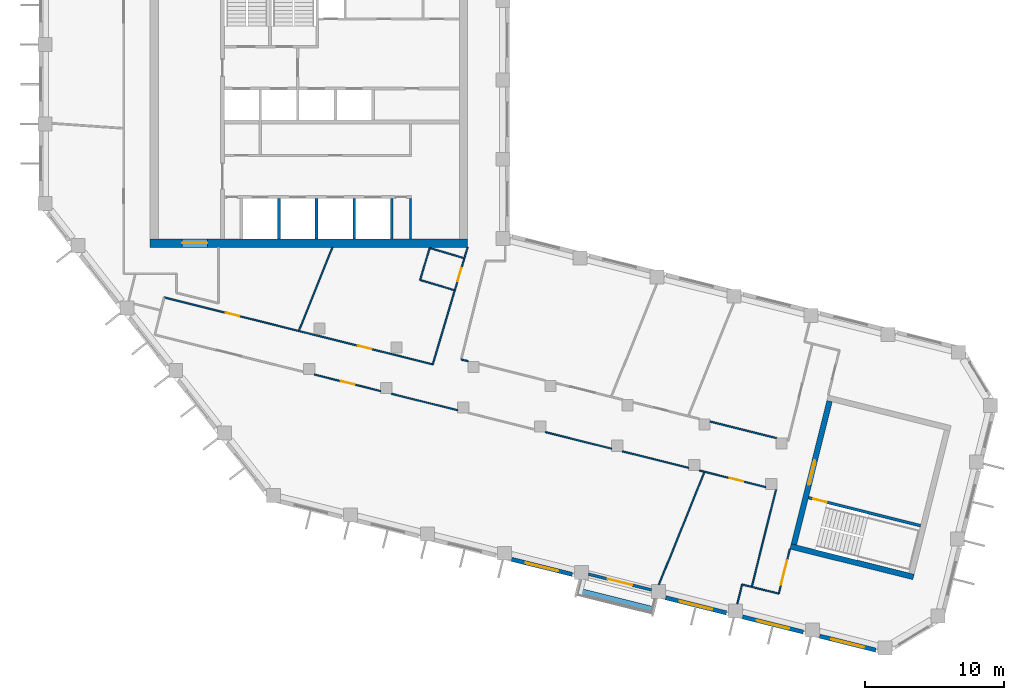
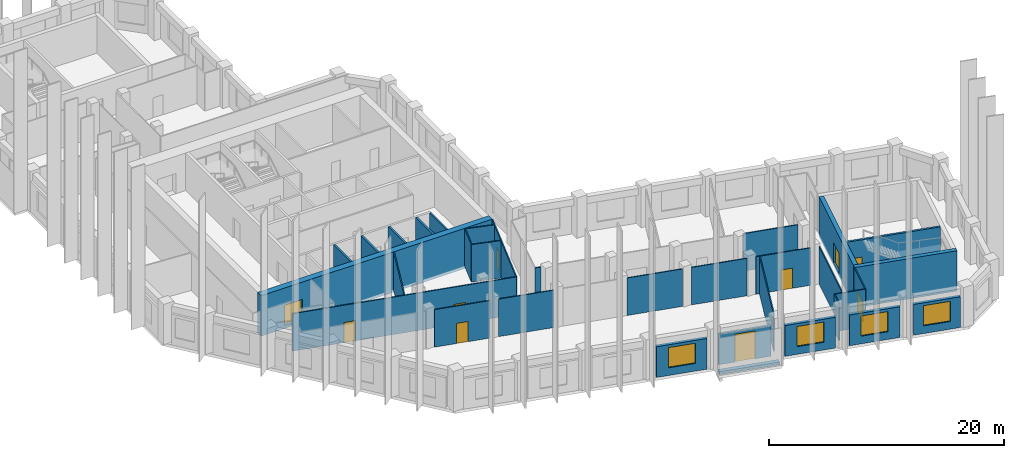
# One storey, part 3 of 9: 34 walls, 10 doors, 4 windows, 14 openings.
"""IFC4 building model written with IfcOpenShell, lengths in metres."""

from ifc_helpers import new_model, si_unit, direction, frame, frame_2d, origin, place, context, subcontext, project, spatial, rectangle, extrude, material, layer, layer_set, type_object, element, fill, save


model = new_model("IFC4")

# Units and contexts
model_context = context("Model", 3, precision=1e-05, world=origin(), true_north=direction((0.0, 1.0)))
body_context = subcontext(model_context, "Body", "Model", "MODEL_VIEW")
ifc_project = project(units=[si_unit("LENGTHUNIT", "METRE"), si_unit("AREAUNIT", "SQUARE_METRE"), si_unit("VOLUMEUNIT", "CUBIC_METRE"), si_unit("PLANEANGLEUNIT", "RADIAN"), si_unit("MASSUNIT", "GRAM", prefix="KILO")], contexts=[model_context])

# Site, building, storey
site_placement = place(None, origin())
site = spatial("IfcSite", under=ifc_project, at=site_placement, CompositionType="ELEMENT")
building_placement = place(site_placement, origin())
building = spatial("IfcBuilding", under=site, at=building_placement, Name="Meshkara Civic Tower", CompositionType="ELEMENT")
storey_placement = place(building_placement, frame((0.0, 0.0, 306.60009765625)))
storey = spatial("IfcBuildingStorey", under=building, at=storey_placement, Name="L70", CompositionType="ELEMENT", Elevation=306.60009765625)

# Wall
ifc_material_1 = material(Name="Blockwork", Category="masonry")
ifc_layer_1 = layer(ifc_material_1, 0.14990234375)
ifc_layer_set_1 = layer_set([ifc_layer_1], Name="Core partition 150")
wall_type_1 = type_object("IfcWallType", Name="Core partition 150", PredefinedType="PARTITIONING", material=ifc_layer_set_1)
wall_1_placement = place(storey_placement, frame((26.699951171875, 14.699951171875, 0.0), z_axis=(0.0, 0.0, 1.0), x_axis=(0.0, 1.0, 0.0)))
element("IfcWall", 1, at=wall_1_placement, inside=storey, type_object=wall_type_1, Name="L70-C024", PredefinedType="PARTITIONING", context=body_context, shape_type="SweptSolid", body=[
    extrude(rectangle(XDim=2.900146484375, YDim=0.14990234375, at=frame_2d((1.4501953125, 0.0))), origin(), (0.0, 0.0, 1.0), 3.89990234375),
])

# Wall, opening, door
ifc_material_2 = material(Name="Concrete C60", Category="concrete")
ifc_layer_2 = layer(ifc_material_2, 0.60009765625)
ifc_layer_set_2 = layer_set([ifc_layer_2], Name="Core ring wall 600 C60")
wall_type_2 = type_object("IfcWallType", Name="Core ring wall 600 C60", PredefinedType="SHEAR", material=ifc_layer_set_2)
wall_2_placement = place(storey_placement, frame((8.0, 14.39990234375, -0.300048828125), z_axis=(0.0, 0.0, 1.0), x_axis=(1.0, 0.0, 0.0)))
wall_2 = element("IfcWall", 2, at=wall_2_placement, inside=storey, type_object=wall_type_2, Name="L70-C001", PredefinedType="SHEAR", context=body_context, shape_type="SweptSolid", body=[
    extrude(rectangle(XDim=22.800048828125, YDim=0.60009765625, at=frame_2d((11.39990234375, 0.0))), origin(), (0.0, 0.0, 1.0), 4.199951171875),
])
opening_1_placement = place(wall_2_placement, frame((2.300048828125, 0.0, 0.300048828125)))
opening_1 = element("IfcOpeningElement", 3, at=opening_1_placement, cuts=wall_2, Name="Opening L70-K023", PredefinedType="OPENING", context=body_context, shape_type="SweptSolid", body=[
    extrude(rectangle(XDim=1.800048828125, YDim=2.10009765625, at=frame_2d((0.89990234375, 1.050048828125))), frame((0.0, 0.31005859375, 0.0), z_axis=(0.0, -1.0, 0.0), x_axis=(1.0, 0.0, 0.0)), (0.0, 0.0, 1.0), 0.6201171875),
])
ifc_material_3 = material(Name="Fire-rated door leaf in steel frame", Category="steel")
door_type_1 = type_object("IfcDoorType", Name="Core double door 1800 EI 60", OperationType="DOUBLE_DOOR_SINGLE_SWING", PredefinedType="DOOR", material=ifc_material_3)
door_1_placement = place(opening_1_placement, origin())
door_1 = element("IfcDoor", 4, at=door_1_placement, inside=storey, type_object=door_type_1, Name="L70-K023", OperationType="DOUBLE_DOOR_SINGLE_SWING", OverallHeight=2.10009765625, OverallWidth=1.800048828125, PredefinedType="DOOR", context=body_context, shape_type="SweptSolid", body=[
    extrude(rectangle(XDim=1.800048828125, YDim=2.10009765625, at=frame_2d((0.89990234375, 1.050048828125))), frame((0.0, 0.02490234375, 0.0), z_axis=(0.0, -1.0, 0.0), x_axis=(1.0, 0.0, 0.0)), (0.0, 0.0, 1.0), 0.050048828125),
])
fill(opening_1, door_1)

# Wall, openings, doors
ifc_material_4 = material(Name="Corridor wall 100")
ifc_layer_3 = layer(ifc_material_4, 0.10009765625)
ifc_layer_set_3 = layer_set([ifc_layer_3], Name="Corridor wall 100")
wall_type_3 = type_object("IfcWallType", Name="Corridor wall 100", PredefinedType="PARTITIONING", material=ifc_layer_set_3)
wall_3_placement = place(storey_placement, frame((9.001953125, 10.4990234375, 0.0), z_axis=(0.0, 0.0, 1.0), x_axis=(0.970298340477, -0.241911410372, 0.0)))
wall_3 = element("IfcWall", 5, at=wall_3_placement, inside=storey, type_object=wall_type_3, Name="L70-W007", PredefinedType="PARTITIONING", context=body_context, shape_type="SweptSolid", body=[
    extrude(rectangle(XDim=19.879638671875, YDim=0.10009765625, at=frame_2d((9.93994140625, 0.0))), origin(), (0.0, 0.0, 1.0), 3.89990234375),
])
opening_2_placement = place(wall_3_placement, frame((4.580078125, 0.0, 0.0)))
opening_2 = element("IfcOpeningElement", 6, at=opening_2_placement, cuts=wall_3, Name="Opening L70-D009", PredefinedType="OPENING", context=body_context, shape_type="SweptSolid", body=[
    extrude(rectangle(XDim=1.0, YDim=2.10009765625, at=frame_2d((0.5, 1.050048828125))), frame((0.0, 0.06005859375, 0.0), z_axis=(0.0, -1.0, 0.0), x_axis=(1.0, 0.0, 0.0)), (0.0, 0.0, 1.0), 0.1201171875),
])
opening_3_placement = place(wall_3_placement, frame((14.343017578125, 0.0, 0.0)))
opening_3 = element("IfcOpeningElement", 7, at=opening_3_placement, cuts=wall_3, Name="Opening L70-D010", PredefinedType="OPENING", context=body_context, shape_type="SweptSolid", body=[
    extrude(rectangle(XDim=1.0, YDim=2.10009765625, at=frame_2d((0.5, 1.050048828125))), frame((0.0, 0.06005859375, 0.0), z_axis=(0.0, -1.0, 0.0), x_axis=(1.0, 0.0, 0.0)), (0.0, 0.0, 1.0), 0.1201171875),
])
ifc_material_5 = material(Name="Door 1000 x 2100")
door_type_2 = type_object("IfcDoorType", Name="Door 1000 x 2100", OperationType="SINGLE_SWING_LEFT", PredefinedType="DOOR", material=ifc_material_5)
door_2_placement = place(opening_2_placement, origin())
door_2 = element("IfcDoor", 8, at=door_2_placement, inside=storey, type_object=door_type_2, Name="L70-D009", OperationType="SINGLE_SWING_RIGHT", OverallHeight=2.10009765625, OverallWidth=1.0, PredefinedType="DOOR", context=body_context, shape_type="SweptSolid", body=[
    extrude(rectangle(XDim=1.0, YDim=2.10009765625, at=frame_2d((0.5, 1.050048828125))), frame((0.0, 0.02490234375, 0.0), z_axis=(0.0, -1.0, 0.0), x_axis=(1.0, 0.0, 0.0)), (0.0, 0.0, 1.0), 0.050048828125),
])
fill(opening_2, door_2)
door_3_placement = place(opening_3_placement, origin())
door_3 = element("IfcDoor", 9, at=door_3_placement, inside=storey, type_object=door_type_2, Name="L70-D010", OperationType="SINGLE_SWING_LEFT", OverallHeight=2.10009765625, OverallWidth=1.0, PredefinedType="DOOR", context=body_context, shape_type="SweptSolid", body=[
    extrude(rectangle(XDim=1.0, YDim=2.10009765625, at=frame_2d((0.5, 1.050048828125))), frame((0.0, 0.02490234375, 0.0), z_axis=(0.0, -1.0, 0.0), x_axis=(1.0, 0.0, 0.0)), (0.0, 0.0, 1.0), 0.050048828125),
])
fill(opening_3, door_3)

# Wall, opening, door
wall_4_placement = place(storey_placement, frame((19.785888671875, 4.9599609375, 0.0), z_axis=(0.0, 0.0, 1.0), x_axis=(0.970335085454, -0.241763979817, 0.0)))
wall_4 = element("IfcWall", 10, at=wall_4_placement, inside=storey, type_object=wall_type_3, Name="L70-W016", PredefinedType="PARTITIONING", context=body_context, shape_type="SweptSolid", body=[
    extrude(rectangle(XDim=4.913818359375, YDim=0.10009765625, at=frame_2d((2.45703125, 0.0))), origin(), (0.0, 0.0, 1.0), 3.89990234375),
])
opening_4_placement = place(wall_4_placement, frame((1.97998046875, 0.0, 0.0)))
opening_4 = element("IfcOpeningElement", 11, at=opening_4_placement, cuts=wall_4, Name="Opening L70-D003", PredefinedType="OPENING", context=body_context, shape_type="SweptSolid", body=[
    extrude(rectangle(XDim=1.0, YDim=2.10009765625, at=frame_2d((0.5, 1.050048828125))), frame((0.0, 0.06005859375, 0.0), z_axis=(0.0, -1.0, 0.0), x_axis=(1.0, 0.0, 0.0)), (0.0, 0.0, 1.0), 0.1201171875),
])
door_4_placement = place(opening_4_placement, origin())
door_4 = element("IfcDoor", 12, at=door_4_placement, inside=storey, type_object=door_type_2, Name="L70-D003", OperationType="SINGLE_SWING_LEFT", OverallHeight=2.10009765625, OverallWidth=1.0, PredefinedType="DOOR", context=body_context, shape_type="SweptSolid", body=[
    extrude(rectangle(XDim=1.0, YDim=2.10009765625, at=frame_2d((0.5, 1.050048828125))), frame((0.0, 0.02490234375, 0.0), z_axis=(0.0, -1.0, 0.0), x_axis=(1.0, 0.0, 0.0)), (0.0, 0.0, 1.0), 0.050048828125),
])
fill(opening_4, door_4)

# Wall
wall_5_placement = place(storey_placement, frame((25.319091796875, 3.5810546875, 0.0), z_axis=(0.0, 0.0, 1.0), x_axis=(0.970308932068, -0.2418689239, 0.0)))
element("IfcWall", 13, at=wall_5_placement, inside=storey, type_object=wall_type_3, Name="L70-W019", PredefinedType="PARTITIONING", context=body_context, shape_type="SweptSolid", body=[
    extrude(rectangle(XDim=4.91162109375, YDim=0.10009765625, at=frame_2d((2.455810546875, 0.0))), origin(), (0.0, 0.0, 1.0), 3.89990234375),
])

# Wall, opening, door
wall_6_placement = place(storey_placement, frame((28.291015625, 5.68994140625, 0.0), z_axis=(0.0, 0.0, 1.0), x_axis=(0.28588265334, 0.958264633867, 0.0)))
wall_6 = element("IfcWall", 14, at=wall_6_placement, inside=storey, type_object=wall_type_3, Name="L70-W020", PredefinedType="PARTITIONING", context=body_context, shape_type="SweptSolid", body=[
    extrude(rectangle(XDim=8.7763671875, YDim=0.10009765625, at=frame_2d((4.38818359375, 0.0))), origin(), (0.0, 0.0, 1.0), 3.89990234375),
])
opening_5_placement = place(wall_6_placement, frame((6.22998046875, 0.0, 0.0)))
opening_5 = element("IfcOpeningElement", 15, at=opening_5_placement, cuts=wall_6, Name="Opening L70-D012", PredefinedType="OPENING", context=body_context, shape_type="SweptSolid", body=[
    extrude(rectangle(XDim=1.0, YDim=2.10009765625, at=frame_2d((0.5, 1.050048828125))), frame((0.0, 0.06005859375, 0.0), z_axis=(0.0, -1.0, 0.0), x_axis=(1.0, 0.0, 0.0)), (0.0, 0.0, 1.0), 0.1201171875),
])
door_5_placement = place(opening_5_placement, origin())
door_5 = element("IfcDoor", 16, at=door_5_placement, inside=storey, type_object=door_type_2, Name="L70-D012", OperationType="SINGLE_SWING_LEFT", OverallHeight=2.10009765625, OverallWidth=1.0, PredefinedType="DOOR", context=body_context, shape_type="SweptSolid", body=[
    extrude(rectangle(XDim=1.0, YDim=2.10009765625, at=frame_2d((0.5, 1.050048828125))), frame((0.0, 0.02490234375, 0.0), z_axis=(0.0, -1.0, 0.0), x_axis=(1.0, 0.0, 0.0)), (0.0, 0.0, 1.0), 0.050048828125),
])
fill(opening_5, door_5)

# Walls
wall_7_placement = place(storey_placement, frame((30.844970703125, 5.9130859375, 0.0), z_axis=(0.0, 0.0, 1.0), x_axis=(-0.970279216762, 0.241988102022, 0.0)))
element("IfcWall", 17, at=wall_7_placement, inside=storey, type_object=wall_type_3, Name="L70-W022", PredefinedType="PARTITIONING", context=body_context, shape_type="SweptSolid", body=[
    extrude(rectangle(XDim=0.524658203125, YDim=0.10009765625, at=frame_2d((0.26220703125, 0.0))), origin(), (0.0, 0.0, 1.0), 3.89990234375),
])
for number, where, z_axis, x_axis, name in (
    (18, (36.383056640625, 0.822998046875, 0.0), (0.0, 0.0, 1.0), (0.970274007865, -0.242008986738, 0.0), "L70-W027"),
    (19, (41.9140625, -0.555908203125, 0.0), (0.0, 0.0, 1.0), (0.970274007865, -0.242008986738, 0.0), "L70-W030"),
):
    element("IfcWall", number, at=place(storey_placement, frame(where, z_axis=z_axis, x_axis=x_axis)), inside=storey, type_object=wall_type_3, Name=name, PredefinedType="PARTITIONING", context=body_context, shape_type="SweptSolid", body=[
        extrude(rectangle(XDim=4.908935546875, YDim=0.10009765625, at=frame_2d((2.45458984375, 0.0))), origin(), (0.0, 0.0, 1.0), 3.89990234375),
    ])

# Wall, opening, door
wall_8_placement = place(storey_placement, frame((47.444091796875, -1.93505859375, 0.0), z_axis=(0.0, 0.0, 1.0), x_axis=(0.970285656006, -0.241962281665, 0.0)))
wall_8 = element("IfcWall", 20, at=wall_8_placement, inside=storey, type_object=wall_type_3, Name="L70-W032", PredefinedType="PARTITIONING", context=body_context, shape_type="SweptSolid", body=[
    extrude(rectangle(XDim=4.909912109375, YDim=0.10009765625, at=frame_2d((2.455078125, 0.0))), origin(), (0.0, 0.0, 1.0), 3.89990234375),
])
opening_6_placement = place(wall_8_placement, frame((2.2470703125, 0.0, 0.0)))
opening_6 = element("IfcOpeningElement", 21, at=opening_6_placement, cuts=wall_8, Name="Opening L70-D002", PredefinedType="OPENING", context=body_context, shape_type="SweptSolid", body=[
    extrude(rectangle(XDim=1.0, YDim=2.10009765625, at=frame_2d((0.5, 1.050048828125))), frame((0.0, 0.06005859375, 0.0), z_axis=(0.0, -1.0, 0.0), x_axis=(1.0, 0.0, 0.0)), (0.0, 0.0, 1.0), 0.1201171875),
])
door_6_placement = place(opening_6_placement, origin())
door_6 = element("IfcDoor", 22, at=door_6_placement, inside=storey, type_object=door_type_2, Name="L70-D002", OperationType="SINGLE_SWING_LEFT", OverallHeight=2.10009765625, OverallWidth=1.0, PredefinedType="DOOR", context=body_context, shape_type="SweptSolid", body=[
    extrude(rectangle(XDim=1.0, YDim=2.10009765625, at=frame_2d((0.5, 1.050048828125))), frame((0.0, 0.02490234375, 0.0), z_axis=(0.0, -1.0, 0.0), x_axis=(1.0, 0.0, 0.0)), (0.0, 0.0, 1.0), 0.050048828125),
])
fill(opening_6, door_6)

# Walls
wall_9_placement = place(storey_placement, frame((51.200927734375, -10.2919921875, 0.0), z_axis=(0.0, 0.0, 1.0), x_axis=(0.970307382734, -0.241875139301, 0.0)))
element("IfcWall", 23, at=wall_9_placement, inside=storey, type_object=wall_type_3, Name="L70-W033", PredefinedType="PARTITIONING", context=body_context, shape_type="SweptSolid", body=[
    extrude(rectangle(XDim=2.00048828125, YDim=0.10009765625, at=frame_2d((1.000244140625, 0.0))), origin(), (0.0, 0.0, 1.0), 3.89990234375),
])
wall_10_placement = place(storey_placement, frame((52.94091796875, -3.31396484375, 0.0), z_axis=(0.0, 0.0, 1.0), x_axis=(-0.241944492524, -0.97029009195, 0.0)))
element("IfcWall", 24, at=wall_10_placement, inside=storey, type_object=wall_type_3, Name="L70-W034", PredefinedType="PARTITIONING", context=body_context, shape_type="SweptSolid", body=[
    extrude(rectangle(XDim=7.191650390625, YDim=0.10009765625, at=frame_2d((3.595703125, 0.0))), origin(), (0.0, 0.0, 1.0), 3.89990234375),
])
wall_11_placement = place(storey_placement, frame((52.971923828125, 0.39697265625, 0.0), z_axis=(0.0, 0.0, 1.0), x_axis=(-0.970300077675, 0.241904442422, 0.0)))
element("IfcWall", 25, at=wall_11_placement, inside=storey, type_object=wall_type_3, Name="L70-W035", PredefinedType="PARTITIONING", context=body_context, shape_type="SweptSolid", body=[
    extrude(rectangle(XDim=4.9150390625, YDim=0.10009765625, at=frame_2d((2.45751953125, 0.0))), origin(), (0.0, 0.0, 1.0), 3.89990234375),
])

# Wall, opening, door
wall_12_placement = place(storey_placement, frame((53.14208984375, -10.77587890625, 0.0), z_axis=(0.0, 0.0, 1.0), x_axis=(0.241786986316, 0.970329352977, 0.0)))
wall_12 = element("IfcWall", 26, at=wall_12_placement, inside=storey, type_object=wall_type_3, Name="L70-W036", PredefinedType="PARTITIONING", context=body_context, shape_type="SweptSolid", body=[
    extrude(rectangle(XDim=3.2998046875, YDim=0.10009765625, at=frame_2d((1.64990234375, 0.0))), origin(), (0.0, 0.0, 1.0), 3.89990234375),
])
opening_7_placement = place(wall_12_placement, frame((0.679931640625, 0.0, 0.0)))
opening_7 = element("IfcOpeningElement", 27, at=opening_7_placement, cuts=wall_12, Name="Opening L70-D001", PredefinedType="OPENING", context=body_context, shape_type="SweptSolid", body=[
    extrude(rectangle(XDim=1.800048828125, YDim=2.10009765625, at=frame_2d((0.89990234375, 1.050048828125))), frame((0.0, 0.06005859375, 0.0), z_axis=(0.0, -1.0, 0.0), x_axis=(1.0, 0.0, 0.0)), (0.0, 0.0, 1.0), 0.1201171875),
])
ifc_material_6 = material(Name="Door pair 1800 x 2100")
door_type_3 = type_object("IfcDoorType", Name="Door pair 1800 x 2100", OperationType="SINGLE_SWING_LEFT", PredefinedType="DOOR", material=ifc_material_6)
door_7_placement = place(opening_7_placement, origin())
door_7 = element("IfcDoor", 28, at=door_7_placement, inside=storey, type_object=door_type_3, Name="L70-D001", OperationType="DOUBLE_DOOR_SINGLE_SWING", OverallHeight=2.10009765625, OverallWidth=1.800048828125, PredefinedType="DOOR", context=body_context, shape_type="SweptSolid", body=[
    extrude(rectangle(XDim=1.800048828125, YDim=2.10009765625, at=frame_2d((0.89990234375, 1.050048828125))), frame((0.0, 0.02490234375, 0.0), z_axis=(0.0, -1.0, 0.0), x_axis=(1.0, 0.0, 0.0)), (0.0, 0.0, 1.0), 0.050048828125),
])
fill(opening_7, door_7)

# Wall, opening, window
ifc_material_7 = material(Name="Insulated infill panel with bronze anodised aluminium cladding", Category="aluminium")
ifc_layer_4 = layer(ifc_material_7, 0.300048828125)
ifc_layer_set_4 = layer_set([ifc_layer_4], Name="EXTERNAL INFILL WALL 300")
wall_type_4 = type_object("IfcWallType", Name="EXTERNAL INFILL WALL 300", PredefinedType="SOLIDWALL", material=ifc_layer_set_4)
wall_13_placement = place(storey_placement, frame((33.958984375, -8.31201171875, 0.0), z_axis=(0.0, 0.0, 1.0), x_axis=(0.970276766004, -0.241997928406, 0.0)))
wall_13 = element("IfcWall", 29, at=wall_13_placement, inside=storey, type_object=wall_type_4, Name="External wall", PredefinedType="SOLIDWALL", context=body_context, shape_type="SweptSolid", body=[
    extrude(rectangle(XDim=4.4873046875, YDim=0.300048828125, at=frame_2d((2.24365234375, 0.0))), origin(), (0.0, 0.0, 1.0), 3.199951171875),
])
opening_8_placement = place(wall_13_placement, frame((1.0439453125, 0.0, 0.800048828125)))
opening_8 = element("IfcOpeningElement", 30, at=opening_8_placement, cuts=wall_13, Name="Opening W7", PredefinedType="OPENING", context=body_context, shape_type="SweptSolid", body=[
    extrude(rectangle(XDim=2.39990234375, YDim=2.10009765625, at=frame_2d((1.199951171875, 1.050048828125))), frame((0.0, 0.159912109375, 0.0), z_axis=(0.0, -1.0, 0.0), x_axis=(1.0, 0.0, 0.0)), (0.0, 0.0, 1.0), 0.320068359375),
])
ifc_material_8 = material(Name="Tinted double glazing", Category="glass")
window_type = type_object("IfcWindowType", Name="WINDOW 2400x2100", PartitioningType="DOUBLE_PANEL_VERTICAL", PredefinedType="WINDOW", material=ifc_material_8)
window_1_placement = place(opening_8_placement, origin())
window_1 = element("IfcWindow", 31, at=window_1_placement, inside=storey, type_object=window_type, Name="Window", OverallHeight=2.10009765625, OverallWidth=2.39990234375, PartitioningType="DOUBLE_PANEL_VERTICAL", PredefinedType="WINDOW", context=body_context, shape_type="SweptSolid", body=[
    extrude(rectangle(XDim=2.39990234375, YDim=2.10009765625, at=frame_2d((1.199951171875, 1.050048828125))), frame((0.0, 0.030029296875, 0.0), z_axis=(0.0, -1.0, 0.0), x_axis=(1.0, 0.0, 0.0)), (0.0, 0.0, 1.0), 0.06005859375),
])
fill(opening_8, window_1)

wall_14_placement = place(storey_placement, frame((45.02001953125, -11.070068359375, 0.0), z_axis=(0.0, 0.0, 1.0), x_axis=(0.970276766004, -0.241997928406, 0.0)))
wall_14 = element("IfcWall", 32, at=wall_14_placement, inside=storey, type_object=wall_type_4, Name="External wall", PredefinedType="SOLIDWALL", context=body_context, shape_type="SweptSolid", body=[
    extrude(rectangle(XDim=4.4873046875, YDim=0.300048828125, at=frame_2d((2.24365234375, 0.0))), origin(), (0.0, 0.0, 1.0), 3.199951171875),
])
opening_9_placement = place(wall_14_placement, frame((1.0439453125, 0.0, 0.800048828125)))
opening_9 = element("IfcOpeningElement", 33, at=opening_9_placement, cuts=wall_14, Name="Opening W7", PredefinedType="OPENING", context=body_context, shape_type="SweptSolid", body=[
    extrude(rectangle(XDim=2.39990234375, YDim=2.10009765625, at=frame_2d((1.199951171875, 1.050048828125))), frame((0.0, 0.159912109375, 0.0), z_axis=(0.0, -1.0, 0.0), x_axis=(1.0, 0.0, 0.0)), (0.0, 0.0, 1.0), 0.320068359375),
])
window_2_placement = place(opening_9_placement, origin())
window_2 = element("IfcWindow", 34, at=window_2_placement, inside=storey, type_object=window_type, Name="Window", OverallHeight=2.10009765625, OverallWidth=2.39990234375, PartitioningType="DOUBLE_PANEL_VERTICAL", PredefinedType="WINDOW", context=body_context, shape_type="SweptSolid", body=[
    extrude(rectangle(XDim=2.39990234375, YDim=2.10009765625, at=frame_2d((1.199951171875, 1.050048828125))), frame((0.0, 0.030029296875, 0.0), z_axis=(0.0, -1.0, 0.0), x_axis=(1.0, 0.0, 0.0)), (0.0, 0.0, 1.0), 0.06005859375),
])
fill(opening_9, window_2)

wall_15_placement = place(storey_placement, frame((50.551025390625, -12.448974609375, 0.0), z_axis=(0.0, 0.0, 1.0), x_axis=(0.970276766004, -0.241997928406, 0.0)))
wall_15 = element("IfcWall", 35, at=wall_15_placement, inside=storey, type_object=wall_type_4, Name="External wall", PredefinedType="SOLIDWALL", context=body_context, shape_type="SweptSolid", body=[
    extrude(rectangle(XDim=4.4873046875, YDim=0.300048828125, at=frame_2d((2.24365234375, 0.0))), origin(), (0.0, 0.0, 1.0), 3.199951171875),
])
opening_10_placement = place(wall_15_placement, frame((1.0439453125, 0.0, 0.800048828125)))
opening_10 = element("IfcOpeningElement", 36, at=opening_10_placement, cuts=wall_15, Name="Opening W7", PredefinedType="OPENING", context=body_context, shape_type="SweptSolid", body=[
    extrude(rectangle(XDim=2.39990234375, YDim=2.10009765625, at=frame_2d((1.199951171875, 1.050048828125))), frame((0.0, 0.159912109375, 0.0), z_axis=(0.0, -1.0, 0.0), x_axis=(1.0, 0.0, 0.0)), (0.0, 0.0, 1.0), 0.320068359375),
])
window_3_placement = place(opening_10_placement, origin())
window_3 = element("IfcWindow", 37, at=window_3_placement, inside=storey, type_object=window_type, Name="Window", OverallHeight=2.10009765625, OverallWidth=2.39990234375, PartitioningType="DOUBLE_PANEL_VERTICAL", PredefinedType="WINDOW", context=body_context, shape_type="SweptSolid", body=[
    extrude(rectangle(XDim=2.39990234375, YDim=2.10009765625, at=frame_2d((1.199951171875, 1.050048828125))), frame((0.0, 0.030029296875, 0.0), z_axis=(0.0, -1.0, 0.0), x_axis=(1.0, 0.0, 0.0)), (0.0, 0.0, 1.0), 0.06005859375),
])
fill(opening_10, window_3)

wall_16_placement = place(storey_placement, frame((56.0810546875, -13.827880859375, 0.0), z_axis=(0.0, 0.0, 1.0), x_axis=(0.970246294139, -0.242120070853, 0.0)))
wall_16 = element("IfcWall", 38, at=wall_16_placement, inside=storey, type_object=wall_type_4, Name="External wall", PredefinedType="SOLIDWALL", context=body_context, shape_type="SweptSolid", body=[
    extrude(rectangle(XDim=4.147216796875, YDim=0.300048828125, at=frame_2d((2.07373046875, 0.0))), origin(), (0.0, 0.0, 1.0), 3.199951171875),
])
opening_11_placement = place(wall_16_placement, frame((0.8740234375, 0.0, 0.800048828125)))
opening_11 = element("IfcOpeningElement", 39, at=opening_11_placement, cuts=wall_16, Name="Opening W7", PredefinedType="OPENING", context=body_context, shape_type="SweptSolid", body=[
    extrude(rectangle(XDim=2.39990234375, YDim=2.10009765625, at=frame_2d((1.199951171875, 1.050048828125))), frame((0.0, 0.159912109375, 0.0), z_axis=(0.0, -1.0, 0.0), x_axis=(1.0, 0.0, 0.0)), (0.0, 0.0, 1.0), 0.320068359375),
])
window_4_placement = place(opening_11_placement, origin())
window_4 = element("IfcWindow", 40, at=window_4_placement, inside=storey, type_object=window_type, Name="Window", OverallHeight=2.10009765625, OverallWidth=2.39990234375, PartitioningType="DOUBLE_PANEL_VERTICAL", PredefinedType="WINDOW", context=body_context, shape_type="SweptSolid", body=[
    extrude(rectangle(XDim=2.39990234375, YDim=2.10009765625, at=frame_2d((1.199951171875, 1.050048828125))), frame((0.0, 0.030029296875, 0.0), z_axis=(0.0, -1.0, 0.0), x_axis=(1.0, 0.0, 0.0)), (0.0, 0.0, 1.0), 0.06005859375),
])
fill(opening_11, window_4)

# Wall
ifc_material_9 = material(Name="Concrete C60", Category="concrete")
ifc_layer_5 = layer(ifc_material_9, 0.39990234375)
ifc_layer_set_5 = layer_set([ifc_layer_5], Name="End core ring wall 400 C60")
wall_type_5 = type_object("IfcWallType", Name="End core ring wall 400 C60", PredefinedType="SHEAR", material=ifc_layer_set_5)
wall_17_placement = place(storey_placement, frame((53.988037109375, -7.3798828125, -0.300048828125), z_axis=(0.0, 0.0, 1.0), x_axis=(0.970281210621, -0.241980107272, 0.0)))
element("IfcWall", 41, at=wall_17_placement, inside=storey, type_object=wall_type_5, Name="L70-C032", PredefinedType="SHEAR", context=body_context, shape_type="SweptSolid", body=[
    extrude(rectangle(XDim=9.1005859375, YDim=0.39990234375, at=frame_2d((4.55029296875, 0.0))), origin(), (0.0, 0.0, 1.0), 4.199951171875),
])

# Wall, opening, door
wall_18_placement = place(storey_placement, frame((54.23095703125, -7.23388671875, -0.300048828125), z_axis=(0.0, 0.0, 1.0), x_axis=(0.241890652548, 0.970303515509, 0.0)))
wall_18 = element("IfcWall", 42, at=wall_18_placement, inside=storey, type_object=wall_type_5, Name="L70-C034", PredefinedType="SHEAR", context=body_context, shape_type="SweptSolid", body=[
    extrude(rectangle(XDim=10.599609375, YDim=0.39990234375, at=frame_2d((5.2998046875, 0.0))), origin(), (0.0, 0.0, 1.0), 4.199951171875),
])
opening_12_placement = place(wall_18_placement, frame((4.39990234375, 0.0, 0.300048828125)))
opening_12 = element("IfcOpeningElement", 43, at=opening_12_placement, cuts=wall_18, Name="Opening L70-K202", PredefinedType="OPENING", context=body_context, shape_type="SweptSolid", body=[
    extrude(rectangle(XDim=1.800048828125, YDim=2.10009765625, at=frame_2d((0.89990234375, 1.050048828125))), frame((0.0, 0.2099609375, 0.0), z_axis=(0.0, -1.0, 0.0), x_axis=(1.0, 0.0, 0.0)), (0.0, 0.0, 1.0), 0.419921875),
])
door_8_placement = place(opening_12_placement, origin())
door_8 = element("IfcDoor", 44, at=door_8_placement, inside=storey, type_object=door_type_1, Name="L70-K202", OperationType="DOUBLE_DOOR_SINGLE_SWING", OverallHeight=2.10009765625, OverallWidth=1.800048828125, PredefinedType="DOOR", context=body_context, shape_type="SweptSolid", body=[
    extrude(rectangle(XDim=1.800048828125, YDim=2.10009765625, at=frame_2d((0.89990234375, 1.050048828125))), frame((0.0, 0.02490234375, 0.0), z_axis=(0.0, -1.0, 0.0), x_axis=(1.0, 0.0, 0.0)), (0.0, 0.0, 1.0), 0.050048828125),
])
fill(opening_12, door_8)

ifc_material_10 = material(Name="Insulated infill panel with bronze anodised aluminium cladding", Category="aluminium")
ifc_layer_6 = layer(ifc_material_10, 0.199951171875)
ifc_layer_set_6 = layer_set([ifc_layer_6], Name="LOGGIA BACK WALL 200")
wall_type_6 = type_object("IfcWallType", Name="LOGGIA BACK WALL 200", PredefinedType="SOLIDWALL", material=ifc_layer_set_6)
wall_19_placement = place(storey_placement, frame((39.47412109375, -9.37890625, 0.0), z_axis=(0.0, 0.0, 1.0), x_axis=(0.970308390734, -0.241871095567, 0.0)))
wall_19 = element("IfcWall", 45, at=wall_19_placement, inside=storey, type_object=wall_type_6, Name="Loggia wall", PredefinedType="SOLIDWALL", context=body_context, shape_type="SweptSolid", body=[
    extrude(rectangle(XDim=4.66845703125, YDim=0.199951171875, at=frame_2d((2.334228515625, 0.0))), origin(), (0.0, 0.0, 1.0), 3.199951171875),
])
opening_13_placement = place(wall_19_placement, frame((1.43408203125, 0.0, 0.0)))
opening_13 = element("IfcOpeningElement", 46, at=opening_13_placement, cuts=wall_19, Name="Opening L70-L002", PredefinedType="OPENING", context=body_context, shape_type="SweptSolid", body=[
    extrude(rectangle(XDim=1.800048828125, YDim=2.89990234375, at=frame_2d((0.89990234375, 1.449951171875))), frame((0.0, 0.10986328125, 0.0), z_axis=(0.0, -1.0, 0.0), x_axis=(1.0, 0.0, 0.0)), (0.0, 0.0, 1.0), 0.219970703125),
])
ifc_material_11 = material(Name="Tinted double glazing", Category="glass")
door_type_4 = type_object("IfcDoorType", Name="LOGGIA DOOR 1800x2900", OperationType="DOUBLE_DOOR_SINGLE_SWING", PredefinedType="DOOR", material=ifc_material_11)
door_9_placement = place(opening_13_placement, origin())
door_9 = element("IfcDoor", 47, at=door_9_placement, inside=storey, type_object=door_type_4, Name="L70-L002", OperationType="DOUBLE_DOOR_SINGLE_SWING", OverallHeight=2.89990234375, OverallWidth=1.800048828125, PredefinedType="DOOR", context=body_context, shape_type="SweptSolid", body=[
    extrude(rectangle(XDim=1.800048828125, YDim=2.89990234375, at=frame_2d((0.89990234375, 1.449951171875))), frame((0.0, 0.02490234375, 0.0), z_axis=(0.0, -1.0, 0.0), x_axis=(1.0, 0.0, 0.0)), (0.0, 0.0, 1.0), 0.050048828125),
])
fill(opening_13, door_9)

# Walls
ifc_material_12 = material(Name="Concrete C40", Category="concrete")
ifc_layer_7 = layer(ifc_material_12, 0.39990234375)
ifc_layer_set_7 = layer_set([ifc_layer_7], Name="PLANTER TRAY")
wall_type_7 = type_object("IfcWallType", Name="PLANTER TRAY", PredefinedType="SOLIDWALL", material=ifc_layer_set_7)
wall_20_placement = place(storey_placement, frame((38.81689453125, -10.5849609375, 0.0), z_axis=(0.0, 0.0, 1.0), x_axis=(0.970270982915, -0.242021114189, 0.0)))
element("IfcWall", 48, at=wall_20_placement, inside=storey, type_object=wall_type_7, Name="Planter", PredefinedType="SOLIDWALL", context=body_context, shape_type="SweptSolid", body=[
    extrude(rectangle(XDim=5.359619140625, YDim=0.39990234375, at=frame_2d((2.6796875, 0.0))), origin(), (0.0, 0.0, 1.0), 0.2998046875),
])
ifc_material_13 = material(Name="Partition 100")
ifc_layer_8 = layer(ifc_material_13, 0.10009765625)
ifc_layer_set_8 = layer_set([ifc_layer_8], Name="Partition 100")
wall_type_8 = type_object("IfcWallType", Name="Partition 100", PredefinedType="PARTITIONING", material=ifc_layer_set_8)
wall_21_placement = place(storey_placement, frame((18.69091796875, 8.14208984375, 0.0), z_axis=(0.0, 0.0, 1.0), x_axis=(0.374447972071, 0.927247925968, 0.0)))
element("IfcWall", 49, at=wall_21_placement, inside=storey, type_object=wall_type_8, Name="L70-W046", PredefinedType="PARTITIONING", context=body_context, shape_type="SweptSolid", body=[
    extrude(rectangle(XDim=6.425537109375, YDim=0.10009765625, at=frame_2d((3.212890625, 0.0))), origin(), (0.0, 0.0, 1.0), 3.89990234375),
])
wall_22_placement = place(storey_placement, frame((27.385986328125, 11.751953125, 0.0), z_axis=(0.0, 0.0, 1.0), x_axis=(0.285826425332, 0.958281406781, 0.0)))
element("IfcWall", 50, at=wall_22_placement, inside=storey, type_object=wall_type_8, Name="L70-W049", PredefinedType="PARTITIONING", context=body_context, shape_type="SweptSolid", body=[
    extrude(rectangle(XDim=2.400146484375, YDim=0.10009765625, at=frame_2d((1.2001953125, 0.0))), origin(), (0.0, 0.0, 1.0), 3.89990234375),
])
for number, where, z_axis, x_axis, name in (
    (51, (28.072021484375, 14.052001953125, 0.0), (0.0, 0.0, 1.0), (0.95828086131, -0.285828254108, 0.0), "L70-W050"),
    (52, (29.830078125, 11.02294921875, 0.0), (0.0, 0.0, 1.0), (-0.95828086131, 0.285828254108, 0.0), "L70-W051"),
):
    element("IfcWall", number, at=place(storey_placement, frame(where, z_axis=z_axis, x_axis=x_axis)), inside=storey, type_object=wall_type_8, Name=name, PredefinedType="PARTITIONING", context=body_context, shape_type="SweptSolid", body=[
        extrude(rectangle(XDim=2.550537109375, YDim=0.10009765625, at=frame_2d((1.275390625, 0.0))), origin(), (0.0, 0.0, 1.0), 3.89990234375),
    ])
wall_23_placement = place(storey_placement, frame((44.533935546875, -10.133056640625, 0.0), z_axis=(0.0, 0.0, 1.0), x_axis=(0.37452392763, 0.927217249426, 0.0)))
element("IfcWall", 53, at=wall_23_placement, inside=storey, type_object=wall_type_8, Name="L70-W053", PredefinedType="PARTITIONING", context=body_context, shape_type="SweptSolid", body=[
    extrude(rectangle(XDim=8.686279296875, YDim=0.10009765625, at=frame_2d((4.34326171875, 0.0))), origin(), (0.0, 0.0, 1.0), 3.89990234375),
])
wall_24_placement = place(storey_placement, frame((50.159912109375, -11.511962890625, 0.0), z_axis=(0.0, 0.0, 1.0), x_axis=(0.241815333826, 0.970322288895, 0.0)))
element("IfcWall", 54, at=wall_24_placement, inside=storey, type_object=wall_type_8, Name="L70-W055", PredefinedType="PARTITIONING", context=body_context, shape_type="SweptSolid", body=[
    extrude(rectangle(XDim=1.435791015625, YDim=0.10009765625, at=frame_2d((0.7177734375, 0.0))), origin(), (0.0, 0.0, 1.0), 3.89990234375),
])
wall_25_placement = place(storey_placement, frame((50.507080078125, -10.118896484375, 0.0), z_axis=(0.0, 0.0, 1.0), x_axis=(0.970282083048, -0.241976609029, 0.0)))
element("IfcWall", 55, at=wall_25_placement, inside=storey, type_object=wall_type_8, Name="L70-W056", PredefinedType="PARTITIONING", context=body_context, shape_type="SweptSolid", body=[
    extrude(rectangle(XDim=0.719482421875, YDim=0.10009765625, at=frame_2d((0.35986328125, 0.0))), origin(), (0.0, 0.0, 1.0), 3.89990234375),
])
ifc_material_14 = material(Name="Concrete C40/50", Category="concrete")
ifc_layer_9 = layer(ifc_material_14, 0.199951171875)
ifc_layer_set_9 = layer_set([ifc_layer_9], Name="Shaft wall 200 C40/50")
wall_type_9 = type_object("IfcWallType", Name="Shaft wall 200 C40/50", PredefinedType="SOLIDWALL", material=ifc_layer_set_9)
for number, where, z_axis, x_axis, name in (
    (56, (17.25, 14.699951171875, 0.0), (0.0, 0.0, 1.0), (0.0, 1.0, 0.0), "L70-C015"),
    (57, (19.949951171875, 14.699951171875, 0.0), (0.0, 0.0, 1.0), (0.0, 1.0, 0.0), "L70-C017"),
    (58, (22.64990234375, 14.699951171875, 0.0), (0.0, 0.0, 1.0), (0.0, 1.0, 0.0), "L70-C021"),
    (59, (25.35009765625, 14.699951171875, 0.0), (0.0, 0.0, 1.0), (0.0, 1.0, 0.0), "L70-C023"),
):
    element("IfcWall", number, at=place(storey_placement, frame(where, z_axis=z_axis, x_axis=x_axis)), inside=storey, type_object=wall_type_9, Name=name, PredefinedType="SOLIDWALL", context=body_context, shape_type="SweptSolid", body=[
        extrude(rectangle(XDim=2.900146484375, YDim=0.199951171875, at=frame_2d((1.4501953125, 0.0))), origin(), (0.0, 0.0, 1.0), 3.89990234375),
    ])

# Wall, opening, door
ifc_material_15 = material(Name="Concrete C40/50", Category="concrete")
ifc_layer_10 = layer(ifc_material_15, 0.199951171875)
ifc_layer_set_10 = layer_set([ifc_layer_10], Name="Stair enclosure wall 200 C40/50")
wall_type_10 = type_object("IfcWallType", Name="Stair enclosure wall 200 C40/50", PredefinedType="SOLIDWALL", material=ifc_layer_set_10)
wall_26_placement = place(storey_placement, frame((55.27099609375, -3.886962890625, 0.0), z_axis=(0.0, 0.0, 1.0), x_axis=(0.970296288869, -0.241919639151, 0.0)))
wall_26 = element("IfcWall", 60, at=wall_26_placement, inside=storey, type_object=wall_type_10, Name="L70-C036", PredefinedType="SOLIDWALL", context=body_context, shape_type="SweptSolid", body=[
    extrude(rectangle(XDim=8.300537109375, YDim=0.199951171875, at=frame_2d((4.150390625, 0.0))), origin(), (0.0, 0.0, 1.0), 3.89990234375),
])
opening_14_placement = place(wall_26_placement, frame((0.35009765625, 0.0, 0.0)))
opening_14 = element("IfcOpeningElement", 61, at=opening_14_placement, cuts=wall_26, Name="Opening L70-K201", PredefinedType="OPENING", context=body_context, shape_type="SweptSolid", body=[
    extrude(rectangle(XDim=1.0, YDim=2.10009765625, at=frame_2d((0.5, 1.050048828125))), frame((0.0, 0.10986328125, 0.0), z_axis=(0.0, -1.0, 0.0), x_axis=(1.0, 0.0, 0.0)), (0.0, 0.0, 1.0), 0.219970703125),
])
ifc_material_16 = material(Name="Fire-rated door leaf in steel frame", Category="steel")
door_type_5 = type_object("IfcDoorType", Name="Stair door 1000 EI 120", OperationType="SINGLE_SWING_LEFT", PredefinedType="DOOR", material=ifc_material_16)
door_10_placement = place(opening_14_placement, origin())
door_10 = element("IfcDoor", 62, at=door_10_placement, inside=storey, type_object=door_type_5, Name="L70-K201", OperationType="SINGLE_SWING_LEFT", OverallHeight=2.10009765625, OverallWidth=1.0, PredefinedType="DOOR", context=body_context, shape_type="SweptSolid", body=[
    extrude(rectangle(XDim=1.0, YDim=2.10009765625, at=frame_2d((0.5, 1.050048828125))), frame((0.0, 0.02490234375, 0.0), z_axis=(0.0, -1.0, 0.0), x_axis=(1.0, 0.0, 0.0)), (0.0, 0.0, 1.0), 0.050048828125),
])
fill(opening_14, door_10)

save(model, "model.ifc")
